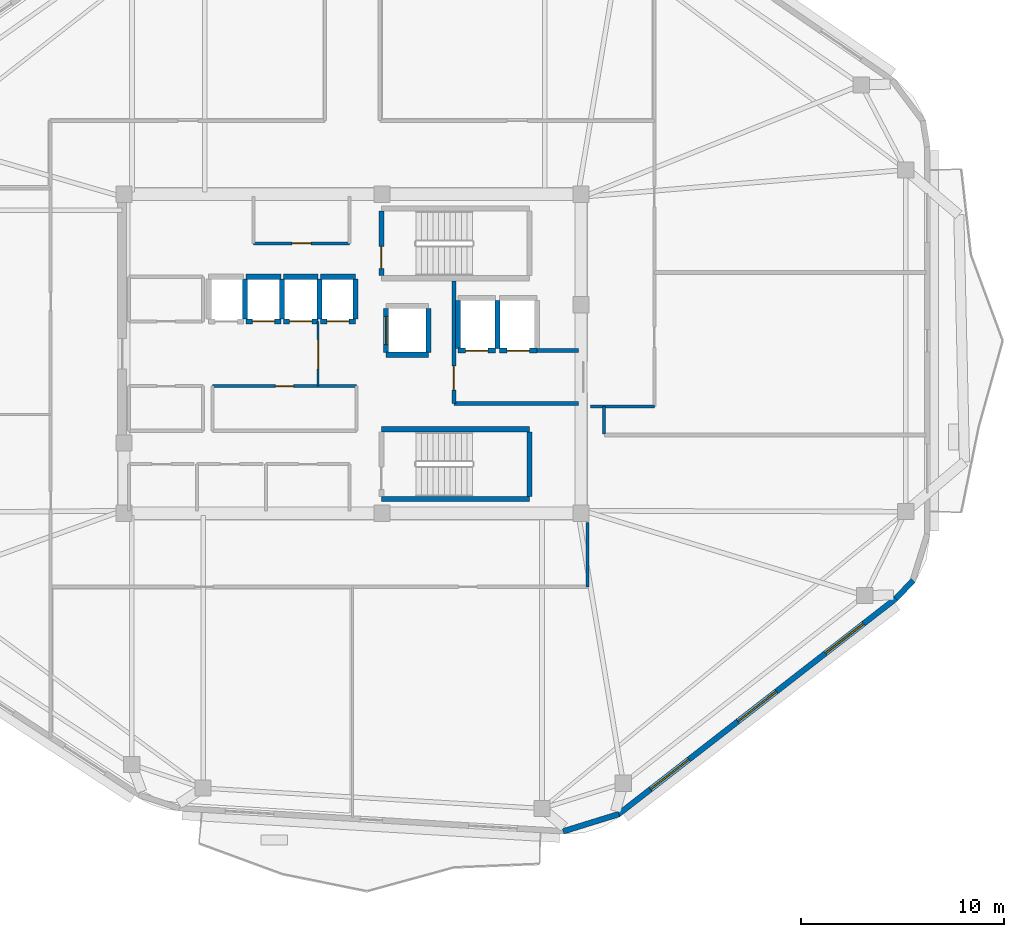
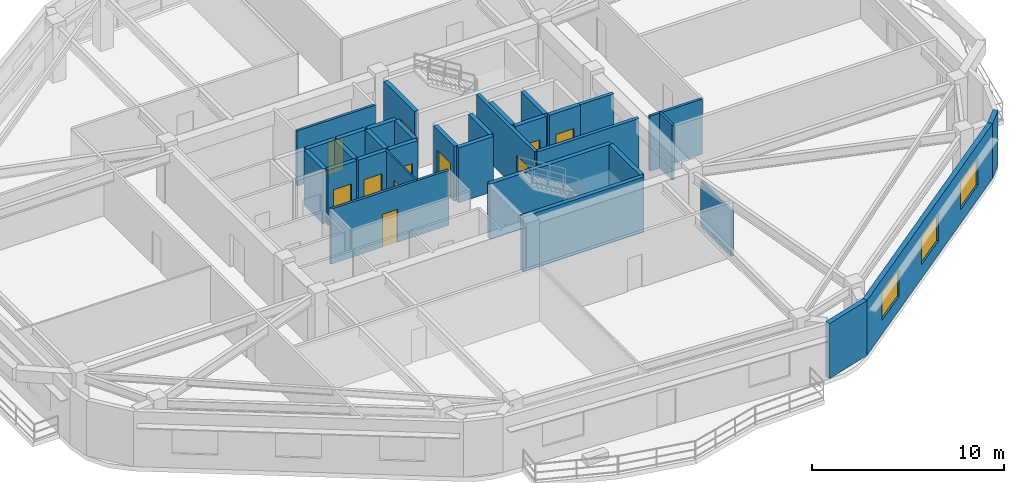
# One storey, part 7 of 12: 33 walls, 11 doors, 3 windows, 14 openings.
"""IFC4 building model written with IfcOpenShell, lengths in metres."""

from ifc_helpers import new_model, si_unit, direction, frame, frame_2d, origin, place, context, subcontext, project, spatial, rectangle, extrude, material, layer, layer_set, type_object, element, fill, save


model = new_model("IFC4")

# Units and contexts
model_context = context("Model", 3, precision=1e-05, world=origin(), true_north=direction((0.0, 1.0)))
body_context = subcontext(model_context, "Body", "Model", "MODEL_VIEW")
ifc_project = project(units=[si_unit("LENGTHUNIT", "METRE"), si_unit("AREAUNIT", "SQUARE_METRE"), si_unit("VOLUMEUNIT", "CUBIC_METRE"), si_unit("PLANEANGLEUNIT", "RADIAN"), si_unit("MASSUNIT", "GRAM", prefix="KILO")], contexts=[model_context])

# Site, building, storey
site_placement = place(None, origin())
site = spatial("IfcSite", under=ifc_project, at=site_placement, CompositionType="ELEMENT")
building_placement = place(site_placement, origin())
building = spatial("IfcBuilding", under=site, at=building_placement, Name="Zulverin Broadcast Headquarters", CompositionType="ELEMENT")
storey_placement = place(building_placement, frame((0.0, 0.0, 263.0)))
storey = spatial("IfcBuildingStorey", under=building, at=storey_placement, Name="L67", CompositionType="ELEMENT", Elevation=263.0)

# Wall, openings, windows
ifc_material_1 = material(Name="Insulated pale-metal clad concrete spandrel C40/50", Category="concrete")
ifc_layer_1 = layer(ifc_material_1, 0.280029296875, Name="Insulated pale-metal clad concrete spandrel C40/50", Category="concrete")
ifc_layer_set_1 = layer_set([ifc_layer_1], Name="Insulated pale-metal clad concrete spandrel C40/50")
wall_type_1 = type_object("IfcWallType", Name="WL-EXT-280", PredefinedType="STANDARD", material=ifc_layer_set_1)
wall_1_placement = place(storey_placement, frame((50.10400390625, 2.458984375, 0.0), z_axis=(0.0, 0.0, 1.0), x_axis=(0.789464857485, 0.613795763097, 0.0)))
wall_1 = element("IfcWall", 1, at=wall_1_placement, inside=storey, type_object=wall_type_1, Name="L67 Pale-Metal Clad Spandrel Wall 2", PredefinedType="STANDARD", context=body_context, shape_type="SweptSolid", body=[
    extrude(rectangle(XDim=17.387451171875, YDim=0.280029296875, at=frame_2d((8.69384765625, 0.0))), origin(), (0.0, 0.0, 1.0), 3.510009765625),
])
opening_1_placement = place(wall_1_placement, frame((2.03125, 0.0, 0.89990234375)))
opening_1 = element("IfcOpeningElement", 2, at=opening_1_placement, cuts=wall_1, Name="Opening W-L67-E21", PredefinedType="OPENING", context=body_context, shape_type="SweptSolid", body=[
    extrude(rectangle(XDim=2.39990234375, YDim=1.75, at=frame_2d((1.199951171875, 0.875))), frame((0.0, 0.14990234375, 0.0), z_axis=(0.0, -1.0, 0.0), x_axis=(1.0, 0.0, 0.0)), (0.0, 0.0, 1.0), 0.300048828125),
])
opening_2_placement = place(wall_1_placement, frame((7.49365234375, 0.0, 0.89990234375)))
opening_2 = element("IfcOpeningElement", 3, at=opening_2_placement, cuts=wall_1, Name="Opening W-L67-E22", PredefinedType="OPENING", context=body_context, shape_type="SweptSolid", body=[
    extrude(rectangle(XDim=2.39990234375, YDim=1.75, at=frame_2d((1.199951171875, 0.875))), frame((0.0, 0.14990234375, 0.0), z_axis=(0.0, -1.0, 0.0), x_axis=(1.0, 0.0, 0.0)), (0.0, 0.0, 1.0), 0.300048828125),
])
opening_3_placement = place(wall_1_placement, frame((12.956298828125, 0.0, 0.89990234375)))
opening_3 = element("IfcOpeningElement", 4, at=opening_3_placement, cuts=wall_1, Name="Opening W-L67-E23", PredefinedType="OPENING", context=body_context, shape_type="SweptSolid", body=[
    extrude(rectangle(XDim=2.39990234375, YDim=1.75, at=frame_2d((1.199951171875, 0.875))), frame((0.0, 0.14990234375, 0.0), z_axis=(0.0, -1.0, 0.0), x_axis=(1.0, 0.0, 0.0)), (0.0, 0.0, 1.0), 0.300048828125),
])
ifc_material_2 = material(Name="Pale anodized aluminium frame with solar-control low-E double glazing", Category="aluminium")
window_type = type_object("IfcWindowType", Name="WIN-RIB-2400", PartitioningType="SINGLE_PANEL", PredefinedType="WINDOW", material=ifc_material_2)
window_1_placement = place(opening_1_placement, origin())
window_1 = element("IfcWindow", 5, at=window_1_placement, inside=storey, type_object=window_type, Name="L67 Ribbon Glazing Window 2 1", OverallHeight=1.75, OverallWidth=2.39990234375, PartitioningType="SINGLE_PANEL", PredefinedType="WINDOW", context=body_context, shape_type="SweptSolid", body=[
    extrude(rectangle(XDim=2.39990234375, YDim=1.75, at=frame_2d((1.199951171875, 0.875))), frame((0.0, 0.030029296875, 0.0), z_axis=(0.0, -1.0, 0.0), x_axis=(1.0, 0.0, 0.0)), (0.0, 0.0, 1.0), 0.06005859375),
])
fill(opening_1, window_1)
window_2_placement = place(opening_2_placement, origin())
window_2 = element("IfcWindow", 6, at=window_2_placement, inside=storey, type_object=window_type, Name="L67 Ribbon Glazing Window 2 2", OverallHeight=1.75, OverallWidth=2.39990234375, PartitioningType="SINGLE_PANEL", PredefinedType="WINDOW", context=body_context, shape_type="SweptSolid", body=[
    extrude(rectangle(XDim=2.39990234375, YDim=1.75, at=frame_2d((1.199951171875, 0.875))), frame((0.0, 0.030029296875, 0.0), z_axis=(0.0, -1.0, 0.0), x_axis=(1.0, 0.0, 0.0)), (0.0, 0.0, 1.0), 0.06005859375),
])
fill(opening_2, window_2)
window_3_placement = place(opening_3_placement, origin())
window_3 = element("IfcWindow", 7, at=window_3_placement, inside=storey, type_object=window_type, Name="L67 Ribbon Glazing Window 2 3", OverallHeight=1.75, OverallWidth=2.39990234375, PartitioningType="SINGLE_PANEL", PredefinedType="WINDOW", context=body_context, shape_type="SweptSolid", body=[
    extrude(rectangle(XDim=2.39990234375, YDim=1.75, at=frame_2d((1.199951171875, 0.875))), frame((0.0, 0.030029296875, 0.0), z_axis=(0.0, -1.0, 0.0), x_axis=(1.0, 0.0, 0.0)), (0.0, 0.0, 1.0), 0.06005859375),
])
fill(opening_3, window_3)

# Walls
wall_2_placement = place(storey_placement, frame((47.38623046875, 1.626220703125, 0.0), z_axis=(0.0, 0.0, 1.0), x_axis=(0.955189316149, 0.29599555793, 0.0)))
element("IfcWall", 8, at=wall_2_placement, inside=storey, type_object=wall_type_1, Name="L67 Wind-Shaped Corner Spandrel Wall 1-1", PredefinedType="STANDARD", context=body_context, shape_type="SweptSolid", body=[
    extrude(rectangle(XDim=2.891845703125, YDim=0.280029296875, at=frame_2d((1.44580078125, 0.0))), origin(), (0.0, 0.0, 1.0), 3.510009765625),
])
wall_3_placement = place(storey_placement, frame((63.81494140625, 13.1171875, 0.0), z_axis=(0.0, 0.0, 1.0), x_axis=(0.687733716128, 0.725963040176, 0.0)))
element("IfcWall", 9, at=wall_3_placement, inside=storey, type_object=wall_type_1, Name="L67 Wind-Shaped Corner Spandrel Wall 2-1", PredefinedType="STANDARD", context=body_context, shape_type="SweptSolid", body=[
    extrude(rectangle(XDim=1.239013671875, YDim=0.280029296875, at=frame_2d((0.61962890625, 0.0))), origin(), (0.0, 0.0, 1.0), 3.510009765625),
])

# Wall, opening, door
ifc_material_3 = material(Name="Concrete C40/50", Category="concrete")
ifc_layer_2 = layer(ifc_material_3, 0.199951171875, Name="Concrete C40/50", Category="concrete")
ifc_layer_set_2 = layer_set([ifc_layer_2], Name="Concrete C40/50")
wall_type_2 = type_object("IfcWallType", Name="WL-FFL-200", PredefinedType="SOLIDWALL", material=ifc_layer_set_2)
wall_4_placement = place(storey_placement, frame((42.0, 22.75, 0.0), z_axis=(0.0, 0.0, 1.0), x_axis=(0.0, 1.0, 0.0)))
wall_4 = element("IfcWall", 10, at=wall_4_placement, inside=storey, type_object=wall_type_2, Name="L67 Firefighting Lift Lobby West Wall", PredefinedType="SOLIDWALL", context=body_context, shape_type="SweptSolid", body=[
    extrude(rectangle(XDim=6.050048828125, YDim=0.199951171875, at=frame_2d((3.02490234375, 0.0))), origin(), (0.0, 0.0, 1.0), 3.510009765625),
])
opening_4_placement = place(wall_4_placement, frame((0.64990234375, 0.0, 0.0)))
opening_4 = element("IfcOpeningElement", 11, at=opening_4_placement, cuts=wall_4, Name="Opening D-L67-FFLW", PredefinedType="OPENING", context=body_context, shape_type="SweptSolid", body=[
    extrude(rectangle(XDim=1.199951171875, YDim=2.14990234375, at=frame_2d((0.60009765625, 1.074951171875))), frame((0.0, 0.10986328125, 0.0), z_axis=(0.0, -1.0, 0.0), x_axis=(1.0, 0.0, 0.0)), (0.0, 0.0, 1.0), 0.219970703125),
])
ifc_material_4 = material(Name="Fire-rated steel leaf and frame", Category="steel")
door_type_1 = type_object("IfcDoorType", Name="DR-FFL-1200", OperationType="SINGLE_SWING_RIGHT", PredefinedType="DOOR", material=ifc_material_4)
door_1_placement = place(opening_4_placement, origin())
door_1 = element("IfcDoor", 12, at=door_1_placement, inside=storey, type_object=door_type_1, Name="L67 Firefighting Lift Lobby Door", OperationType="SINGLE_SWING_RIGHT", OverallHeight=2.14990234375, OverallWidth=1.199951171875, PredefinedType="DOOR", context=body_context, shape_type="SweptSolid", body=[
    extrude(rectangle(XDim=1.199951171875, YDim=2.14990234375, at=frame_2d((0.60009765625, 1.074951171875))), frame((0.0, 0.02490234375, 0.0), z_axis=(0.0, -1.0, 0.0), x_axis=(1.0, 0.0, 0.0)), (0.0, 0.0, 1.0), 0.050048828125),
])
fill(opening_4, door_1)

# Walls
wall_5_placement = place(storey_placement, frame((42.0, 22.75, 0.0), z_axis=(0.0, 0.0, 1.0), x_axis=(1.0, 0.0, 0.0)))
element("IfcWall", 13, at=wall_5_placement, inside=storey, type_object=wall_type_2, Name="L67 Firefighting Lift Lobby South Wall", PredefinedType="SOLIDWALL", context=body_context, shape_type="SweptSolid", body=[
    extrude(rectangle(XDim=6.14990234375, YDim=0.199951171875, at=frame_2d((3.074951171875, 0.0))), origin(), (0.0, 0.0, 1.0), 3.510009765625),
])
wall_6_placement = place(storey_placement, frame((46.10009765625, 25.35009765625, 0.0), z_axis=(0.0, 0.0, 1.0), x_axis=(1.0, 0.0, 0.0)))
element("IfcWall", 14, at=wall_6_placement, inside=storey, type_object=wall_type_2, Name="L67 Firefighting Lift Lobby North Wall", PredefinedType="SOLIDWALL", context=body_context, shape_type="SweptSolid", body=[
    extrude(rectangle(XDim=2.0498046875, YDim=0.199951171875, at=frame_2d((1.02490234375, 0.0))), origin(), (0.0, 0.0, 1.0), 3.510009765625),
])

# Wall, opening, door
ifc_material_5 = material(Name="Fire-rated acoustic laminated glass screen", Category="glass")
ifc_layer_3 = layer(ifc_material_5, 0.10009765625, Name="Fire-rated acoustic laminated glass screen", Category="glass")
ifc_layer_set_3 = layer_set([ifc_layer_3], Name="Fire-rated acoustic laminated glass screen")
wall_type_3 = type_object("IfcWallType", Name="WL-GLAZ-100", PredefinedType="PARTITIONING", material=ifc_layer_set_3)
wall_7_placement = place(storey_placement, frame((35.300048828125, 23.60009765625, 0.0), z_axis=(0.0, 0.0, 1.0), x_axis=(0.0, 1.0, 0.0)))
wall_7 = element("IfcWall", 15, at=wall_7_placement, inside=storey, type_object=wall_type_3, Name="L67 Central Core Smoke Vestibule Screen", PredefinedType="PARTITIONING", context=body_context, shape_type="SweptSolid", body=[
    extrude(rectangle(XDim=3.199951171875, YDim=0.10009765625, at=frame_2d((1.60009765625, 0.0))), origin(), (0.0, 0.0, 1.0), 3.510009765625),
])
opening_5_placement = place(wall_7_placement, frame((0.85009765625, 0.0, 0.0)))
opening_5 = element("IfcOpeningElement", 16, at=opening_5_placement, cuts=wall_7, Name="Opening D-L67-CL2", PredefinedType="OPENING", context=body_context, shape_type="SweptSolid", body=[
    extrude(rectangle(XDim=1.449951171875, YDim=2.1201171875, at=frame_2d((0.72509765625, 1.06005859375))), frame((0.0, 0.06005859375, 0.0), z_axis=(0.0, -1.0, 0.0), x_axis=(1.0, 0.0, 0.0)), (0.0, 0.0, 1.0), 0.1201171875),
])
ifc_material_6 = material(Name="Fire-rated acoustic glazed double leaf", Category="glass")
door_type_2 = type_object("IfcDoorType", Name="DR-GLZ-1450", OperationType="DOUBLE_DOOR_SINGLE_SWING", PredefinedType="DOOR", material=ifc_material_6)
door_2_placement = place(opening_5_placement, origin())
door_2 = element("IfcDoor", 17, at=door_2_placement, inside=storey, type_object=door_type_2, Name="L67 Central Core Smoke Vestibule Door", OperationType="DOUBLE_DOOR_SINGLE_SWING", OverallHeight=2.1201171875, OverallWidth=1.449951171875, PredefinedType="DOOR", context=body_context, shape_type="SweptSolid", body=[
    extrude(rectangle(XDim=1.449951171875, YDim=2.1201171875, at=frame_2d((0.72509765625, 1.06005859375))), frame((0.0, 0.02490234375, 0.0), z_axis=(0.0, -1.0, 0.0), x_axis=(1.0, 0.0, 0.0)), (0.0, 0.0, 1.0), 0.050048828125),
])
fill(opening_5, door_2)

ifc_material_7 = material(Name="Fire-rated gypsum stud partition", Category="gypsum")
ifc_layer_4 = layer(ifc_material_7, 0.14990234375, Name="Fire-rated gypsum stud partition", Category="gypsum")
ifc_layer_set_4 = layer_set([ifc_layer_4], Name="Fire-rated gypsum stud partition")
wall_type_4 = type_object("IfcWallType", Name="WL-PART-150", PredefinedType="PARTITIONING", material=ifc_layer_set_4)
wall_8_placement = place(storey_placement, frame((32.10009765625, 30.64990234375, 0.0), z_axis=(0.0, 0.0, 1.0), x_axis=(1.0, 0.0, 0.0)))
wall_8 = element("IfcWall", 18, at=wall_8_placement, inside=storey, type_object=wall_type_4, Name="L67 Core Accessible WC & Electrical Riser Front Wall", PredefinedType="PARTITIONING", context=body_context, shape_type="SweptSolid", body=[
    extrude(rectangle(XDim=4.75, YDim=0.14990234375, at=frame_2d((2.375, 0.0))), origin(), (0.0, 0.0, 1.0), 3.510009765625),
])
opening_6_placement = place(wall_8_placement, frame((1.89990234375, 0.0, 0.0)))
opening_6 = element("IfcOpeningElement", 19, at=opening_6_placement, cuts=wall_8, Name="Opening D-L67-NC1", PredefinedType="OPENING", context=body_context, shape_type="SweptSolid", body=[
    extrude(rectangle(XDim=0.949951171875, YDim=2.10009765625, at=frame_2d((0.47509765625, 1.050048828125))), frame((0.0, 0.0849609375, 0.0), z_axis=(0.0, -1.0, 0.0), x_axis=(1.0, 0.0, 0.0)), (0.0, 0.0, 1.0), 0.169921875),
])
ifc_material_8 = material(Name="Fire-rated moisture-resistant laminate leaf", Category="wood")
door_type_3 = type_object("IfcDoorType", Name="DR-WC-950", OperationType="SINGLE_SWING_LEFT", PredefinedType="DOOR", material=ifc_material_8)
door_3_placement = place(opening_6_placement, origin())
door_3 = element("IfcDoor", 20, at=door_3_placement, inside=storey, type_object=door_type_3, Name="L67 Accessible WC & Electrical Riser Door", OperationType="SINGLE_SWING_LEFT", OverallHeight=2.10009765625, OverallWidth=0.949951171875, PredefinedType="DOOR", context=body_context, shape_type="SweptSolid", body=[
    extrude(rectangle(XDim=0.949951171875, YDim=2.10009765625, at=frame_2d((0.47509765625, 1.050048828125))), frame((0.0, 0.02490234375, 0.0), z_axis=(0.0, -1.0, 0.0), x_axis=(1.0, 0.0, 0.0)), (0.0, 0.0, 1.0), 0.050048828125),
])
fill(opening_6, door_3)

wall_9_placement = place(storey_placement, frame((30.080078125, 23.60009765625, 0.0), z_axis=(0.0, 0.0, 1.0), x_axis=(1.0, 0.0, 0.0)))
wall_9 = element("IfcWall", 21, at=wall_9_placement, inside=storey, type_object=wall_type_4, Name="L67 Optical Telemetry Hub Room N Wall", PredefinedType="PARTITIONING", context=body_context, shape_type="SweptSolid", body=[
    extrude(rectangle(XDim=7.119873046875, YDim=0.14990234375, at=frame_2d((3.56005859375, 0.0))), origin(), (0.0, 0.0, 1.0), 3.510009765625),
])
opening_7_placement = place(wall_9_placement, frame((3.110107421875, 0.0, 0.0)))
opening_7 = element("IfcOpeningElement", 22, at=opening_7_placement, cuts=wall_9, Name="Opening D-L67-RM1", PredefinedType="OPENING", context=body_context, shape_type="SweptSolid", body=[
    extrude(rectangle(XDim=0.89990234375, YDim=2.10009765625, at=frame_2d((0.449951171875, 1.050048828125))), frame((0.0, 0.0849609375, 0.0), z_axis=(0.0, -1.0, 0.0), x_axis=(1.0, 0.0, 0.0)), (0.0, 0.0, 1.0), 0.169921875),
])
ifc_material_9 = material(Name="Powder-coated steel access leaf", Category="steel")
door_type_4 = type_object("IfcDoorType", Name="DR-RISER-900", OperationType="SINGLE_SWING_LEFT", PredefinedType="DOOR", material=ifc_material_9)
door_4_placement = place(opening_7_placement, origin())
door_4 = element("IfcDoor", 23, at=door_4_placement, inside=storey, type_object=door_type_4, Name="L67 Optical Telemetry Hub Room Door", OperationType="SINGLE_SWING_LEFT", OverallHeight=2.10009765625, OverallWidth=0.89990234375, PredefinedType="DOOR", context=body_context, shape_type="SweptSolid", body=[
    extrude(rectangle(XDim=0.89990234375, YDim=2.10009765625, at=frame_2d((0.449951171875, 1.050048828125))), frame((0.0, 0.02490234375, 0.0), z_axis=(0.0, -1.0, 0.0), x_axis=(1.0, 0.0, 0.0)), (0.0, 0.0, 1.0), 0.050048828125),
])
fill(opening_7, door_4)

# Walls
wall_10_placement = place(storey_placement, frame((49.39990234375, 21.239990234375, 0.0), z_axis=(0.0, 0.0, 1.0), x_axis=(0.0, 1.0, 0.0)))
element("IfcWall", 24, at=wall_10_placement, inside=storey, type_object=wall_type_4, Name="L67 Room Partition Wall RP-02", PredefinedType="PARTITIONING", context=body_context, shape_type="SweptSolid", body=[
    extrude(rectangle(XDim=1.359130859375, YDim=0.14990234375, at=frame_2d((0.6796875, 0.0))), origin(), (0.0, 0.0, 1.0), 3.510009765625),
])
wall_11_placement = place(storey_placement, frame((48.60009765625, 13.699951171875, 0.0), z_axis=(0.0, 0.0, 1.0), x_axis=(0.0, 1.0, 0.0)))
element("IfcWall", 25, at=wall_11_placement, inside=storey, type_object=wall_type_4, Name="L67 Gallery Partition Wall CG-03", PredefinedType="PARTITIONING", context=body_context, shape_type="SweptSolid", body=[
    extrude(rectangle(XDim=3.16015625, YDim=0.14990234375, at=frame_2d((1.580078125, 0.0))), origin(), (0.0, 0.0, 1.0), 2.892822265625),
])
wall_12_placement = place(storey_placement, frame((48.739990234375, 22.60009765625, 0.0), z_axis=(0.0, 0.0, 1.0), x_axis=(1.0, 0.0, 0.0)))
element("IfcWall", 26, at=wall_12_placement, inside=storey, type_object=wall_type_4, Name="L67 Gallery Partition Wall CG-11", PredefinedType="PARTITIONING", context=body_context, shape_type="SweptSolid", body=[
    extrude(rectangle(XDim=3.159912109375, YDim=0.14990234375, at=frame_2d((1.580078125, 0.0))), origin(), (0.0, 0.0, 1.0), 3.510009765625),
])

# Wall, opening, door
ifc_material_10 = material(Name="Concrete C50/60", Category="concrete")
ifc_layer_5 = layer(ifc_material_10, 0.25, Name="Concrete C50/60", Category="concrete")
ifc_layer_set_5 = layer_set([ifc_layer_5], Name="Concrete C50/60")
wall_type_5 = type_object("IfcWallType", Name="WL-SHAFT-250", PredefinedType="SHEAR", material=ifc_layer_set_5)
wall_13_placement = place(storey_placement, frame((38.425048828125, 29.050048828125, 0.0), z_axis=(0.0, 0.0, 1.0), x_axis=(0.0, 1.0, 0.0)))
wall_13 = element("IfcWall", 27, at=wall_13_placement, inside=storey, type_object=wall_type_5, Name="L67 ST-1 Enclosure Wall W", PredefinedType="SHEAR", context=body_context, shape_type="SweptSolid", body=[
    extrude(rectangle(XDim=3.199951171875, YDim=0.25, at=frame_2d((1.60009765625, 0.0))), origin(), (0.0, 0.0, 1.0), 3.510009765625),
])
opening_8_placement = place(wall_13_placement, frame((0.35009765625, 0.0, 0.0)))
opening_8 = element("IfcOpeningElement", 28, at=opening_8_placement, cuts=wall_13, Name="Opening D-L67-ST-1", PredefinedType="OPENING", context=body_context, shape_type="SweptSolid", body=[
    extrude(rectangle(XDim=1.10009765625, YDim=2.14990234375, at=frame_2d((0.550048828125, 1.074951171875))), frame((0.0, 0.135009765625, 0.0), z_axis=(0.0, -1.0, 0.0), x_axis=(1.0, 0.0, 0.0)), (0.0, 0.0, 1.0), 0.27001953125),
])
door_type_5 = type_object("IfcDoorType", Name="DR-STAIR-1100", OperationType="SINGLE_SWING_LEFT", PredefinedType="DOOR", material=ifc_material_4)
door_5_placement = place(opening_8_placement, origin())
door_5 = element("IfcDoor", 29, at=door_5_placement, inside=storey, type_object=door_type_5, Name="L67 Exit Stair ST-1 Fire Door", OperationType="SINGLE_SWING_LEFT", OverallHeight=2.14990234375, OverallWidth=1.10009765625, PredefinedType="DOOR", context=body_context, shape_type="SweptSolid", body=[
    extrude(rectangle(XDim=1.10009765625, YDim=2.14990234375, at=frame_2d((0.550048828125, 1.074951171875))), frame((0.0, 0.02490234375, 0.0), z_axis=(0.0, -1.0, 0.0), x_axis=(1.0, 0.0, 0.0)), (0.0, 0.0, 1.0), 0.050048828125),
])
fill(opening_8, door_5)

# Walls
for number, where, z_axis, x_axis, name in (
    (30, (38.425048828125, 18.02490234375, 0.0), (0.0, 0.0, 1.0), (1.0, 0.0, 0.0), "L67 ST-2 Enclosure Wall S"),
    (31, (38.425048828125, 21.47509765625, 0.0), (0.0, 0.0, 1.0), (1.0, 0.0, 0.0), "L67 ST-2 Enclosure Wall N"),
):
    element("IfcWall", number, at=place(storey_placement, frame(where, z_axis=z_axis, x_axis=x_axis)), inside=storey, type_object=wall_type_5, Name=name, PredefinedType="SHEAR", context=body_context, shape_type="SweptSolid", body=[
        extrude(rectangle(XDim=7.300048828125, YDim=0.25, at=frame_2d((3.64990234375, 0.0))), origin(), (0.0, 0.0, 1.0), 3.510009765625),
    ])
wall_14_placement = place(storey_placement, frame((45.72509765625, 18.14990234375, 0.0), z_axis=(0.0, 0.0, 1.0), x_axis=(0.0, 1.0, 0.0)))
element("IfcWall", 32, at=wall_14_placement, inside=storey, type_object=wall_type_5, Name="L67 ST-2 Enclosure Wall E", PredefinedType="SHEAR", context=body_context, shape_type="SweptSolid", body=[
    extrude(rectangle(XDim=3.2001953125, YDim=0.25, at=frame_2d((1.60009765625, 0.0))), origin(), (0.0, 0.0, 1.0), 3.510009765625),
])
wall_15_placement = place(storey_placement, frame((31.679931640625, 26.919921875, 0.0), z_axis=(0.0, 0.0, 1.0), x_axis=(0.0, 1.0, 0.0)))
element("IfcWall", 33, at=wall_15_placement, inside=storey, type_object=wall_type_5, Name="L67 Lift PL-H1 Shaft Wall E", PredefinedType="SHEAR", context=body_context, shape_type="SweptSolid", body=[
    extrude(rectangle(XDim=1.9599609375, YDim=0.25, at=frame_2d((0.97998046875, 0.0))), origin(), (0.0, 0.0, 1.0), 3.510009765625),
])

# Wall, opening, door
wall_16_placement = place(storey_placement, frame((31.739990234375, 26.800048828125, 0.0), z_axis=(0.0, 0.0, 1.0), x_axis=(1.0, 0.0, 0.0)))
wall_16 = element("IfcWall", 34, at=wall_16_placement, inside=storey, type_object=wall_type_5, Name="L67 Lift PL-H2 Shaft Wall S", PredefinedType="SHEAR", context=body_context, shape_type="SweptSolid", body=[
    extrude(rectangle(XDim=1.719970703125, YDim=0.25, at=frame_2d((0.85986328125, 0.0))), origin(), (0.0, 0.0, 1.0), 3.510009765625),
])
opening_9_placement = place(wall_16_placement, frame((0.31005859375, 0.0, 0.0)))
opening_9 = element("IfcOpeningElement", 35, at=opening_9_placement, cuts=wall_16, Name="Opening LD-PL-H2-L67", PredefinedType="OPENING", context=body_context, shape_type="SweptSolid", body=[
    extrude(rectangle(XDim=1.10009765625, YDim=2.14990234375, at=frame_2d((0.550048828125, 1.074951171875))), frame((0.0, 0.135009765625, 0.0), z_axis=(0.0, -1.0, 0.0), x_axis=(1.0, 0.0, 0.0)), (0.0, 0.0, 1.0), 0.27001953125),
])
ifc_material_11 = material(Name="Brushed stainless steel landing", Category="steel")
door_type_6 = type_object("IfcDoorType", Name="LD-PASS-1100", OperationType="DOUBLE_DOOR_SLIDING", PredefinedType="DOOR", material=ifc_material_11)
door_6_placement = place(opening_9_placement, origin())
door_6 = element("IfcDoor", 36, at=door_6_placement, inside=storey, type_object=door_type_6, Name="L67 Lift PL-H2 Sliding Landing Door", OperationType="DOUBLE_DOOR_SLIDING", OverallHeight=2.14990234375, OverallWidth=1.10009765625, PredefinedType="DOOR", context=body_context, shape_type="SweptSolid", body=[
    extrude(rectangle(XDim=1.10009765625, YDim=2.14990234375, at=frame_2d((0.550048828125, 1.074951171875))), frame((0.0, 0.02490234375, 0.0), z_axis=(0.0, -1.0, 0.0), x_axis=(1.0, 0.0, 0.0)), (0.0, 0.0, 1.0), 0.050048828125),
])
fill(opening_9, door_6)

# Walls
wall_17_placement = place(storey_placement, frame((31.739990234375, 29.0, 0.0), z_axis=(0.0, 0.0, 1.0), x_axis=(1.0, 0.0, 0.0)))
element("IfcWall", 37, at=wall_17_placement, inside=storey, type_object=wall_type_5, Name="L67 Lift PL-H2 Shaft Wall N", PredefinedType="SHEAR", context=body_context, shape_type="SweptSolid", body=[
    extrude(rectangle(XDim=1.719970703125, YDim=0.25, at=frame_2d((0.85986328125, 0.0))), origin(), (0.0, 0.0, 1.0), 3.510009765625),
])
wall_18_placement = place(storey_placement, frame((33.52001953125, 26.919921875, 0.0), z_axis=(0.0, 0.0, 1.0), x_axis=(0.0, 1.0, 0.0)))
element("IfcWall", 38, at=wall_18_placement, inside=storey, type_object=wall_type_5, Name="L67 Lift PL-H2 Shaft Wall E", PredefinedType="SHEAR", context=body_context, shape_type="SweptSolid", body=[
    extrude(rectangle(XDim=1.9599609375, YDim=0.25, at=frame_2d((0.97998046875, 0.0))), origin(), (0.0, 0.0, 1.0), 3.510009765625),
])

# Wall, opening, door
wall_19_placement = place(storey_placement, frame((33.580078125, 26.800048828125, 0.0), z_axis=(0.0, 0.0, 1.0), x_axis=(1.0, 0.0, 0.0)))
wall_19 = element("IfcWall", 39, at=wall_19_placement, inside=storey, type_object=wall_type_5, Name="L67 Lift PL-H3 Shaft Wall S", PredefinedType="SHEAR", context=body_context, shape_type="SweptSolid", body=[
    extrude(rectangle(XDim=1.719970703125, YDim=0.25, at=frame_2d((0.85986328125, 0.0))), origin(), (0.0, 0.0, 1.0), 3.510009765625),
])
opening_10_placement = place(wall_19_placement, frame((0.31005859375, 0.0, 0.0)))
opening_10 = element("IfcOpeningElement", 40, at=opening_10_placement, cuts=wall_19, Name="Opening LD-PL-H3-L67", PredefinedType="OPENING", context=body_context, shape_type="SweptSolid", body=[
    extrude(rectangle(XDim=1.10009765625, YDim=2.14990234375, at=frame_2d((0.550048828125, 1.074951171875))), frame((0.0, 0.135009765625, 0.0), z_axis=(0.0, -1.0, 0.0), x_axis=(1.0, 0.0, 0.0)), (0.0, 0.0, 1.0), 0.27001953125),
])
door_7_placement = place(opening_10_placement, origin())
door_7 = element("IfcDoor", 41, at=door_7_placement, inside=storey, type_object=door_type_6, Name="L67 Lift PL-H3 Sliding Landing Door", OperationType="DOUBLE_DOOR_SLIDING", OverallHeight=2.14990234375, OverallWidth=1.10009765625, PredefinedType="DOOR", context=body_context, shape_type="SweptSolid", body=[
    extrude(rectangle(XDim=1.10009765625, YDim=2.14990234375, at=frame_2d((0.550048828125, 1.074951171875))), frame((0.0, 0.02490234375, 0.0), z_axis=(0.0, -1.0, 0.0), x_axis=(1.0, 0.0, 0.0)), (0.0, 0.0, 1.0), 0.050048828125),
])
fill(opening_10, door_7)

# Walls
wall_20_placement = place(storey_placement, frame((33.580078125, 29.0, 0.0), z_axis=(0.0, 0.0, 1.0), x_axis=(1.0, 0.0, 0.0)))
element("IfcWall", 42, at=wall_20_placement, inside=storey, type_object=wall_type_5, Name="L67 Lift PL-H3 Shaft Wall N", PredefinedType="SHEAR", context=body_context, shape_type="SweptSolid", body=[
    extrude(rectangle(XDim=1.719970703125, YDim=0.25, at=frame_2d((0.85986328125, 0.0))), origin(), (0.0, 0.0, 1.0), 3.510009765625),
])
wall_21_placement = place(storey_placement, frame((35.360107421875, 26.919921875, 0.0), z_axis=(0.0, 0.0, 1.0), x_axis=(0.0, 1.0, 0.0)))
element("IfcWall", 43, at=wall_21_placement, inside=storey, type_object=wall_type_5, Name="L67 Lift PL-H3 Shaft Wall E", PredefinedType="SHEAR", context=body_context, shape_type="SweptSolid", body=[
    extrude(rectangle(XDim=1.9599609375, YDim=0.25, at=frame_2d((0.97998046875, 0.0))), origin(), (0.0, 0.0, 1.0), 3.510009765625),
])

# Wall, opening, door
wall_22_placement = place(storey_placement, frame((35.419921875, 26.800048828125, 0.0), z_axis=(0.0, 0.0, 1.0), x_axis=(1.0, 0.0, 0.0)))
wall_22 = element("IfcWall", 44, at=wall_22_placement, inside=storey, type_object=wall_type_5, Name="L67 Lift PL-H4 Shaft Wall S", PredefinedType="SHEAR", context=body_context, shape_type="SweptSolid", body=[
    extrude(rectangle(XDim=1.719970703125, YDim=0.25, at=frame_2d((0.85986328125, 0.0))), origin(), (0.0, 0.0, 1.0), 3.510009765625),
])
opening_11_placement = place(wall_22_placement, frame((0.31005859375, 0.0, 0.0)))
opening_11 = element("IfcOpeningElement", 45, at=opening_11_placement, cuts=wall_22, Name="Opening LD-PL-H4-L67", PredefinedType="OPENING", context=body_context, shape_type="SweptSolid", body=[
    extrude(rectangle(XDim=1.10009765625, YDim=2.14990234375, at=frame_2d((0.550048828125, 1.074951171875))), frame((0.0, 0.135009765625, 0.0), z_axis=(0.0, -1.0, 0.0), x_axis=(1.0, 0.0, 0.0)), (0.0, 0.0, 1.0), 0.27001953125),
])
door_8_placement = place(opening_11_placement, origin())
door_8 = element("IfcDoor", 46, at=door_8_placement, inside=storey, type_object=door_type_6, Name="L67 Lift PL-H4 Sliding Landing Door", OperationType="DOUBLE_DOOR_SLIDING", OverallHeight=2.14990234375, OverallWidth=1.10009765625, PredefinedType="DOOR", context=body_context, shape_type="SweptSolid", body=[
    extrude(rectangle(XDim=1.10009765625, YDim=2.14990234375, at=frame_2d((0.550048828125, 1.074951171875))), frame((0.0, 0.02490234375, 0.0), z_axis=(0.0, -1.0, 0.0), x_axis=(1.0, 0.0, 0.0)), (0.0, 0.0, 1.0), 0.050048828125),
])
fill(opening_11, door_8)

# Walls
wall_23_placement = place(storey_placement, frame((35.419921875, 29.0, 0.0), z_axis=(0.0, 0.0, 1.0), x_axis=(1.0, 0.0, 0.0)))
element("IfcWall", 47, at=wall_23_placement, inside=storey, type_object=wall_type_5, Name="L67 Lift PL-H4 Shaft Wall N", PredefinedType="SHEAR", context=body_context, shape_type="SweptSolid", body=[
    extrude(rectangle(XDim=1.719970703125, YDim=0.25, at=frame_2d((0.85986328125, 0.0))), origin(), (0.0, 0.0, 1.0), 3.510009765625),
])
wall_24_placement = place(storey_placement, frame((37.139892578125, 26.919921875, 0.0), z_axis=(0.0, 0.0, 1.0), x_axis=(0.0, 1.0, 0.0)))
element("IfcWall", 48, at=wall_24_placement, inside=storey, type_object=wall_type_5, Name="L67 Lift PL-H4 Shaft Wall E", PredefinedType="SHEAR", context=body_context, shape_type="SweptSolid", body=[
    extrude(rectangle(XDim=1.9599609375, YDim=0.25, at=frame_2d((0.97998046875, 0.0))), origin(), (0.0, 0.0, 1.0), 3.510009765625),
])

# Wall, opening, door
wall_25_placement = place(storey_placement, frame((42.199951171875, 25.35009765625, 0.0), z_axis=(0.0, 0.0, 1.0), x_axis=(1.0, 0.0, 0.0)))
wall_25 = element("IfcWall", 49, at=wall_25_placement, inside=storey, type_object=wall_type_5, Name="L67 Lift FFL-1 Shaft Wall S", PredefinedType="SHEAR", context=body_context, shape_type="SweptSolid", body=[
    extrude(rectangle(XDim=1.85009765625, YDim=0.25, at=frame_2d((0.925048828125, 0.0))), origin(), (0.0, 0.0, 1.0), 3.510009765625),
])
opening_12_placement = place(wall_25_placement, frame((0.375, 0.0, 0.0)))
opening_12 = element("IfcOpeningElement", 50, at=opening_12_placement, cuts=wall_25, Name="Opening LD-FFL-1-L67", PredefinedType="OPENING", context=body_context, shape_type="SweptSolid", body=[
    extrude(rectangle(XDim=1.10009765625, YDim=2.14990234375, at=frame_2d((0.550048828125, 1.074951171875))), frame((0.0, 0.135009765625, 0.0), z_axis=(0.0, -1.0, 0.0), x_axis=(1.0, 0.0, 0.0)), (0.0, 0.0, 1.0), 0.27001953125),
])
ifc_material_12 = material(Name="Fire-rated stainless landing door", Category="steel")
door_type_7 = type_object("IfcDoorType", Name="LD-FFL-1100", OperationType="DOUBLE_DOOR_SLIDING", PredefinedType="DOOR", material=ifc_material_12)
door_9_placement = place(opening_12_placement, origin())
door_9 = element("IfcDoor", 51, at=door_9_placement, inside=storey, type_object=door_type_7, Name="L67 Lift FFL-1 Sliding Landing Door", OperationType="DOUBLE_DOOR_SLIDING", OverallHeight=2.14990234375, OverallWidth=1.10009765625, PredefinedType="DOOR", context=body_context, shape_type="SweptSolid", body=[
    extrude(rectangle(XDim=1.10009765625, YDim=2.14990234375, at=frame_2d((0.550048828125, 1.074951171875))), frame((0.0, 0.02490234375, 0.0), z_axis=(0.0, -1.0, 0.0), x_axis=(1.0, 0.0, 0.0)), (0.0, 0.0, 1.0), 0.050048828125),
])
fill(opening_12, door_9)

# Walls
for number, where, z_axis, x_axis, name in (
    (52, (42.199951171875, 25.469970703125, 0.0), (0.0, 0.0, 1.0), (0.0, 1.0, 0.0), "L67 Lift FFL-1 Shaft Wall W"),
    (53, (44.14990234375, 25.469970703125, 0.0), (0.0, 0.0, 1.0), (0.0, 1.0, 0.0), "L67 Lift FFL-1 Shaft Wall E"),
):
    element("IfcWall", number, at=place(storey_placement, frame(where, z_axis=z_axis, x_axis=x_axis)), inside=storey, type_object=wall_type_5, Name=name, PredefinedType="SHEAR", context=body_context, shape_type="SweptSolid", body=[
        extrude(rectangle(XDim=2.360107421875, YDim=0.25, at=frame_2d((1.18017578125, 0.0))), origin(), (0.0, 0.0, 1.0), 3.510009765625),
    ])

# Wall, opening, door
wall_26_placement = place(storey_placement, frame((44.25, 25.35009765625, 0.0), z_axis=(0.0, 0.0, 1.0), x_axis=(1.0, 0.0, 0.0)))
wall_26 = element("IfcWall", 54, at=wall_26_placement, inside=storey, type_object=wall_type_5, Name="L67 Lift FFL-2 Shaft Wall S", PredefinedType="SHEAR", context=body_context, shape_type="SweptSolid", body=[
    extrude(rectangle(XDim=1.85009765625, YDim=0.25, at=frame_2d((0.925048828125, 0.0))), origin(), (0.0, 0.0, 1.0), 3.510009765625),
])
opening_13_placement = place(wall_26_placement, frame((0.375, 0.0, 0.0)))
opening_13 = element("IfcOpeningElement", 55, at=opening_13_placement, cuts=wall_26, Name="Opening LD-FFL-2-L67", PredefinedType="OPENING", context=body_context, shape_type="SweptSolid", body=[
    extrude(rectangle(XDim=1.10009765625, YDim=2.14990234375, at=frame_2d((0.550048828125, 1.074951171875))), frame((0.0, 0.135009765625, 0.0), z_axis=(0.0, -1.0, 0.0), x_axis=(1.0, 0.0, 0.0)), (0.0, 0.0, 1.0), 0.27001953125),
])
door_10_placement = place(opening_13_placement, origin())
door_10 = element("IfcDoor", 56, at=door_10_placement, inside=storey, type_object=door_type_7, Name="L67 Lift FFL-2 Sliding Landing Door", OperationType="DOUBLE_DOOR_SLIDING", OverallHeight=2.14990234375, OverallWidth=1.10009765625, PredefinedType="DOOR", context=body_context, shape_type="SweptSolid", body=[
    extrude(rectangle(XDim=1.10009765625, YDim=2.14990234375, at=frame_2d((0.550048828125, 1.074951171875))), frame((0.0, 0.02490234375, 0.0), z_axis=(0.0, -1.0, 0.0), x_axis=(1.0, 0.0, 0.0)), (0.0, 0.0, 1.0), 0.050048828125),
])
fill(opening_13, door_10)

# Wall
wall_27_placement = place(storey_placement, frame((38.64990234375, 25.14990234375, 0.0), z_axis=(0.0, 0.0, 1.0), x_axis=(1.0, 0.0, 0.0)))
element("IfcWall", 57, at=wall_27_placement, inside=storey, type_object=wall_type_5, Name="L67 Lift SVL-1 Shaft Wall S", PredefinedType="SHEAR", context=body_context, shape_type="SweptSolid", body=[
    extrude(rectangle(XDim=2.10009765625, YDim=0.25, at=frame_2d((1.050048828125, 0.0))), origin(), (0.0, 0.0, 1.0), 3.510009765625),
])

# Wall, opening, door
wall_28_placement = place(storey_placement, frame((38.64990234375, 25.27001953125, 0.0), z_axis=(0.0, 0.0, 1.0), x_axis=(0.0, 1.0, 0.0)))
wall_28 = element("IfcWall", 58, at=wall_28_placement, inside=storey, type_object=wall_type_5, Name="L67 Lift SVL-1 Shaft Wall W", PredefinedType="SHEAR", context=body_context, shape_type="SweptSolid", body=[
    extrude(rectangle(XDim=2.159912109375, YDim=0.25, at=frame_2d((1.080078125, 0.0))), origin(), (0.0, 0.0, 1.0), 3.510009765625),
])
opening_14_placement = place(wall_28_placement, frame((0.3798828125, 0.0, 0.0)))
opening_14 = element("IfcOpeningElement", 59, at=opening_14_placement, cuts=wall_28, Name="Opening LD-SVL-1-L67", PredefinedType="OPENING", context=body_context, shape_type="SweptSolid", body=[
    extrude(rectangle(XDim=1.39990234375, YDim=2.199951171875, at=frame_2d((0.699951171875, 1.10009765625))), frame((0.0, 0.135009765625, 0.0), z_axis=(0.0, -1.0, 0.0), x_axis=(1.0, 0.0, 0.0)), (0.0, 0.0, 1.0), 0.27001953125),
])
ifc_material_13 = material(Name="Heavy-duty stainless landing door", Category="steel")
door_type_8 = type_object("IfcDoorType", Name="LD-GOODS-1400", OperationType="DOUBLE_DOOR_SLIDING", PredefinedType="DOOR", material=ifc_material_13)
door_11_placement = place(opening_14_placement, origin())
door_11 = element("IfcDoor", 60, at=door_11_placement, inside=storey, type_object=door_type_8, Name="L67 Lift SVL-1 Sliding Landing Door", OperationType="DOUBLE_DOOR_SLIDING", OverallHeight=2.199951171875, OverallWidth=1.39990234375, PredefinedType="DOOR", context=body_context, shape_type="SweptSolid", body=[
    extrude(rectangle(XDim=1.39990234375, YDim=2.199951171875, at=frame_2d((0.699951171875, 1.10009765625))), frame((0.0, 0.02490234375, 0.0), z_axis=(0.0, -1.0, 0.0), x_axis=(1.0, 0.0, 0.0)), (0.0, 0.0, 1.0), 0.050048828125),
])
fill(opening_14, door_11)

# Wall
wall_29_placement = place(storey_placement, frame((40.75, 25.27001953125, 0.0), z_axis=(0.0, 0.0, 1.0), x_axis=(0.0, 1.0, 0.0)))
element("IfcWall", 61, at=wall_29_placement, inside=storey, type_object=wall_type_5, Name="L67 Lift SVL-1 Shaft Wall E", PredefinedType="SHEAR", context=body_context, shape_type="SweptSolid", body=[
    extrude(rectangle(XDim=2.159912109375, YDim=0.25, at=frame_2d((1.080078125, 0.0))), origin(), (0.0, 0.0, 1.0), 3.510009765625),
])

save(model, "model.ifc")
